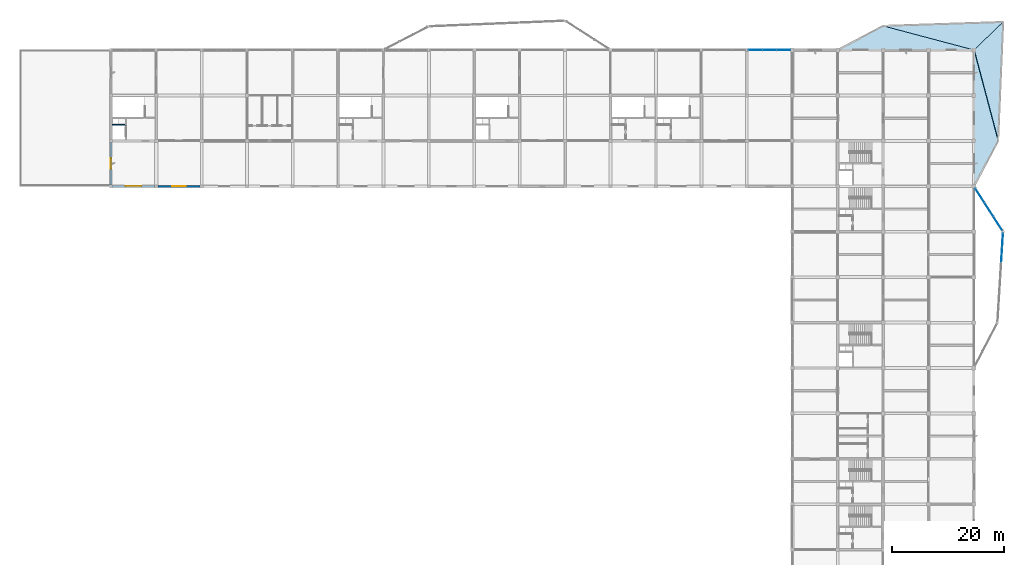
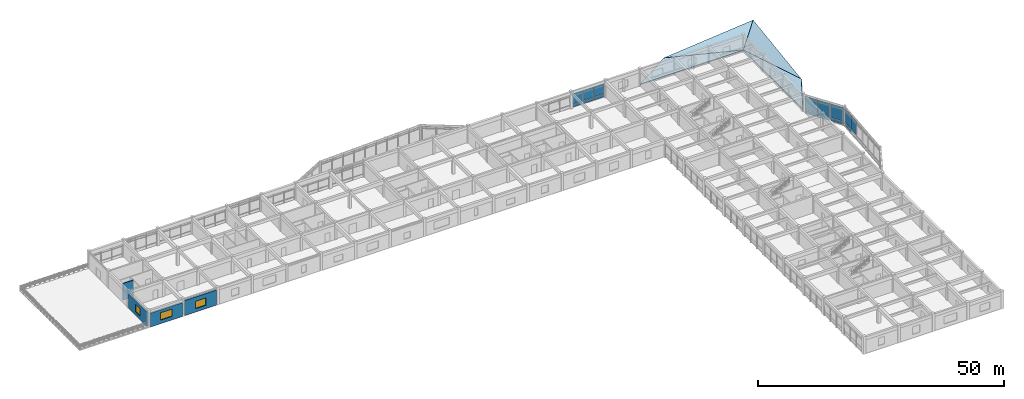
# One storey, part 24 of 40: 15 plates, 4 slabs, 4 walls, 3 windows, 3 openings, 3 elements without a shape of their own.
"""IFC4 building model written with IfcOpenShell, lengths in metres."""

from ifc_helpers import new_model, si_unit, direction, frame, frame_2d, origin, origin_2d, place, context, subcontext, project, spatial, polyline, rectangle, outline, extrude, material, layer, layer_set, type_object, element, fill, aggregate, save


model = new_model("IFC4")

# Units and contexts
model_context = context("Model", 3, precision=1e-05, world=origin(), true_north=direction((0.0, 1.0)))
body_context = subcontext(model_context, "Body", "Model", "MODEL_VIEW")
ifc_project = project(units=[si_unit("LENGTHUNIT", "METRE"), si_unit("AREAUNIT", "SQUARE_METRE"), si_unit("VOLUMEUNIT", "CUBIC_METRE"), si_unit("PLANEANGLEUNIT", "RADIAN"), si_unit("MASSUNIT", "GRAM", prefix="KILO")], contexts=[model_context])

# Site, building, storey
site_placement = place(None, origin())
site = spatial("IfcSite", under=ifc_project, at=site_placement, CompositionType="ELEMENT")
building_placement = place(site_placement, origin())
building = spatial("IfcBuilding", under=site, at=building_placement, Name="Vaudrelin Polytechnic", CompositionType="ELEMENT")
storey_placement = place(building_placement, frame((0.0, 0.0, 22.949951171875)))
storey = spatial("IfcBuildingStorey", under=building, at=storey_placement, Name="L05", CompositionType="ELEMENT", Elevation=22.949951171875)

# Curtain wall, plates
ifc_material_1 = material(Name="Thermally broken anodised aluminium AA 6063-T6 and low-e triple glazing", Category="aluminium")
ifc_layer_1 = layer(ifc_material_1, 0.199951171875)
ifc_layer_set_1 = layer_set([ifc_layer_1], Name="Thermally broken anodised aluminium AA 6063-T6 and low-e triple glazing")
curtain_wall_type_1 = type_object("IfcCurtainWallType", Name="CW-CW-STU", PredefinedType="USERDEFINED", material=ifc_layer_set_1)
curtain_wall_1_placement = place(storey_placement, origin())
curtain_wall_1 = element("IfcCurtainWall", 1, at=curtain_wall_1_placement, inside=storey, type_object=curtain_wall_type_1, Name="Curtain wall L05 N_V5_14", ObjectType="CURTAIN WALL", PredefinedType="USERDEFINED")
ifc_material_2 = material(Name="Diffusing north-light studio glazing panel", Category="glass")
ifc_layer_2 = layer(ifc_material_2, 0.048095703125)
ifc_layer_set_2 = layer_set([ifc_layer_2], Name="Diffusing north-light studio glazing panel")
plate_type_1 = type_object("IfcPlateType", Name="PLT-GLZ-SAW", PredefinedType="CURTAIN_PANEL", material=ifc_layer_set_2)
plate_1_placement = place(storey_placement, frame((131.123779296875, 121.5, 0.900146484375), z_axis=(0.0, 0.0, 1.0), x_axis=(1.0, 0.0, 0.0)))
plate_1 = element("IfcPlate", 2, at=plate_1_placement, type_object=plate_type_1, Name="N_V5_14 vision panel 1", PredefinedType="CURTAIN_PANEL", context=body_context, shape_type="SweptSolid", body=[
    extrude(rectangle(XDim=2.4013671875, YDim=0.0439453125, at=origin_2d()), origin(), (0.0, 0.0, 1.0), 2.56201171875),
])
plate_2_placement = place(storey_placement, frame((133.625, 121.5, 0.900146484375), z_axis=(0.0, 0.0, 1.0), x_axis=(1.0, 0.0, 0.0)))
plate_2 = element("IfcPlate", 3, at=plate_2_placement, type_object=plate_type_1, Name="N_V5_14 vision panel 2", PredefinedType="CURTAIN_PANEL", context=body_context, shape_type="SweptSolid", body=[
    extrude(rectangle(XDim=2.4013671875, YDim=0.0439453125, at=origin_2d()), origin(), (0.0, 0.0, 1.0), 2.56201171875),
])
plate_3_placement = place(storey_placement, frame((136.126220703125, 121.5, 0.900146484375), z_axis=(0.0, 0.0, 1.0), x_axis=(1.0, 0.0, 0.0)))
plate_3 = element("IfcPlate", 4, at=plate_3_placement, type_object=plate_type_1, Name="N_V5_14 vision panel 3", PredefinedType="CURTAIN_PANEL", context=body_context, shape_type="SweptSolid", body=[
    extrude(rectangle(XDim=2.4013671875, YDim=0.0439453125, at=origin_2d()), origin(), (0.0, 0.0, 1.0), 2.56201171875),
])
ifc_material_3 = material(Name="Insulated ceramic-frit spandrel glass panel", Category="glass")
ifc_layer_3 = layer(ifc_material_3, 0.052001953125)
ifc_layer_set_3 = layer_set([ifc_layer_3], Name="Insulated ceramic-frit spandrel glass panel")
plate_type_2 = type_object("IfcPlateType", Name="PLT-GLZ-SPAND", PredefinedType="CURTAIN_PANEL", material=ifc_layer_set_3)
plate_4_placement = place(storey_placement, frame((131.123779296875, 121.5, 0.08984375), z_axis=(0.0, 0.0, 1.0), x_axis=(1.0, 0.0, 0.0)))
plate_4 = element("IfcPlate", 5, at=plate_4_placement, type_object=plate_type_2, Name="N_V5_14 spandrel panel 1", PredefinedType="CURTAIN_PANEL", context=body_context, shape_type="SweptSolid", body=[
    extrude(rectangle(XDim=2.4013671875, YDim=0.052001953125, at=origin_2d()), origin(), (0.0, 0.0, 1.0), 0.699951171875),
])
plate_5_placement = place(storey_placement, frame((133.625, 121.5, 0.08984375), z_axis=(0.0, 0.0, 1.0), x_axis=(1.0, 0.0, 0.0)))
plate_5 = element("IfcPlate", 6, at=plate_5_placement, type_object=plate_type_2, Name="N_V5_14 spandrel panel 2", PredefinedType="CURTAIN_PANEL", context=body_context, shape_type="SweptSolid", body=[
    extrude(rectangle(XDim=2.4013671875, YDim=0.052001953125, at=origin_2d()), origin(), (0.0, 0.0, 1.0), 0.699951171875),
])
plate_6_placement = place(storey_placement, frame((136.126220703125, 121.5, 0.08984375), z_axis=(0.0, 0.0, 1.0), x_axis=(1.0, 0.0, 0.0)))
plate_6 = element("IfcPlate", 7, at=plate_6_placement, type_object=plate_type_2, Name="N_V5_14 spandrel panel 3", PredefinedType="CURTAIN_PANEL", context=body_context, shape_type="SweptSolid", body=[
    extrude(rectangle(XDim=2.4013671875, YDim=0.052001953125, at=origin_2d()), origin(), (0.0, 0.0, 1.0), 0.699951171875),
])
aggregate(curtain_wall_1, [plate_4, plate_1, plate_5, plate_2, plate_6, plate_3])

# Curtain wall, plate
ifc_layer_4 = layer(ifc_material_1, 0.199951171875)
ifc_layer_set_4 = layer_set([ifc_layer_4], Name="Thermally broken anodised aluminium AA 6063-T6 and low-e triple glazing")
curtain_wall_type_2 = type_object("IfcCurtainWallType", Name="CW-CW-LAB", PredefinedType="USERDEFINED", material=ifc_layer_set_4)
curtain_wall_2_placement = place(storey_placement, origin())
curtain_wall_2 = element("IfcCurtainWall", 8, at=curtain_wall_2_placement, inside=storey, type_object=curtain_wall_type_2, Name="Curtain wall L05 E_OR2_2_1", ObjectType="CURTAIN WALL", PredefinedType="USERDEFINED")
plate_7_placement = place(storey_placement, frame((175.204345703125, 87.55224609375, -0.5400390625), z_axis=(0.0, 0.0, 1.0), x_axis=(0.061604568165, 0.998100634797, 0.0)))
plate_7 = element("IfcPlate", 9, at=plate_7_placement, type_object=plate_type_2, Name="E_OR2_2_1 spandrel panel 3", PredefinedType="CURTAIN_PANEL", context=body_context, shape_type="SweptSolid", body=[
    extrude(rectangle(XDim=2.52587890625, YDim=0.052001953125, at=origin_2d()), origin(), (0.0, 0.0, 1.0), 0.699951171875),
])

# Curtain wall, plates
curtain_wall_3_placement = place(storey_placement, origin())
curtain_wall_3 = element("IfcCurtainWall", 10, at=curtain_wall_3_placement, inside=storey, type_object=curtain_wall_type_2, Name="Curtain wall L05 E_OR2_3_0", ObjectType="CURTAIN WALL", PredefinedType="USERDEFINED")
plate_8_placement = place(storey_placement, frame((174.35595703125, 90.570556640625, -0.5400390625), z_axis=(0.0, 0.0, 1.0), x_axis=(-0.540228077901, 0.841518641414, 0.0)))
plate_8 = element("IfcPlate", 11, at=plate_8_placement, type_object=plate_type_2, Name="E_OR2_3_0 spandrel panel 1", PredefinedType="CURTAIN_PANEL", context=body_context, shape_type="SweptSolid", body=[
    extrude(rectangle(XDim=2.86279296875, YDim=0.052001953125, at=origin_2d()), origin(), (0.0, 0.0, 1.0), 0.699951171875),
])
plate_9_placement = place(storey_placement, frame((172.75537109375, 93.063720703125, -0.5400390625), z_axis=(0.0, 0.0, 1.0), x_axis=(-0.540228077901, 0.841518641414, 0.0)))
plate_9 = element("IfcPlate", 12, at=plate_9_placement, type_object=plate_type_2, Name="E_OR2_3_0 spandrel panel 2", PredefinedType="CURTAIN_PANEL", context=body_context, shape_type="SweptSolid", body=[
    extrude(rectangle(XDim=2.86279296875, YDim=0.052001953125, at=origin_2d()), origin(), (0.0, 0.0, 1.0), 0.699951171875),
])
plate_10_placement = place(storey_placement, frame((171.15478515625, 95.556884765625, -0.5400390625), z_axis=(0.0, 0.0, 1.0), x_axis=(-0.540228077901, 0.841518641414, 0.0)))
plate_10 = element("IfcPlate", 13, at=plate_10_placement, type_object=plate_type_2, Name="E_OR2_3_0 spandrel panel 3", PredefinedType="CURTAIN_PANEL", context=body_context, shape_type="SweptSolid", body=[
    extrude(rectangle(XDim=2.86279296875, YDim=0.052001953125, at=origin_2d()), origin(), (0.0, 0.0, 1.0), 0.699951171875),
])

# Plate
ifc_material_4 = material(Name="Triple low-e argon insulated glazing unit", Category="glass")
ifc_layer_5 = layer(ifc_material_4, 0.0439453125)
ifc_layer_set_5 = layer_set([ifc_layer_5], Name="Triple low-e argon insulated glazing unit")
plate_type_3 = type_object("IfcPlateType", Name="PLT-GLZ-TRIPLE", PredefinedType="CURTAIN_PANEL", material=ifc_layer_set_5)
plate_11_placement = place(storey_placement, frame((175.042724609375, 84.931396484375, 0.27001953125), z_axis=(0.0, 0.0, 1.0), x_axis=(0.061604568165, 0.998100634797, 0.0)))
plate_11 = element("IfcPlate", 14, at=plate_11_placement, type_object=plate_type_3, Name="E_OR2_2_1 vision panel 2", PredefinedType="CURTAIN_PANEL", context=body_context, shape_type="SweptSolid", body=[
    extrude(rectangle(XDim=2.52587890625, YDim=0.0439453125, at=origin_2d()), origin(), (0.0, 0.0, 1.0), 3.43994140625),
])

plate_12_placement = place(storey_placement, frame((175.204345703125, 87.55224609375, 0.27001953125), z_axis=(0.0, 0.0, 1.0), x_axis=(0.061604568165, 0.998100634797, 0.0)))
plate_12 = element("IfcPlate", 15, at=plate_12_placement, type_object=plate_type_3, Name="E_OR2_2_1 vision panel 3", PredefinedType="CURTAIN_PANEL", context=body_context, shape_type="SweptSolid", body=[
    extrude(rectangle(XDim=2.52587890625, YDim=0.0439453125, at=origin_2d()), origin(), (0.0, 0.0, 1.0), 3.43994140625),
])

aggregate(curtain_wall_2, [plate_11, plate_7, plate_12])

plate_13_placement = place(storey_placement, frame((174.35595703125, 90.570556640625, 0.27001953125), z_axis=(0.0, 0.0, 1.0), x_axis=(-0.540228077901, 0.841518641414, 0.0)))
plate_13 = element("IfcPlate", 16, at=plate_13_placement, type_object=plate_type_3, Name="E_OR2_3_0 vision panel 1", PredefinedType="CURTAIN_PANEL", context=body_context, shape_type="SweptSolid", body=[
    extrude(rectangle(XDim=2.86279296875, YDim=0.0439453125, at=origin_2d()), origin(), (0.0, 0.0, 1.0), 3.43994140625),
])

plate_14_placement = place(storey_placement, frame((172.75537109375, 93.063720703125, 0.27001953125), z_axis=(0.0, 0.0, 1.0), x_axis=(-0.540228077901, 0.841518641414, 0.0)))
plate_14 = element("IfcPlate", 17, at=plate_14_placement, type_object=plate_type_3, Name="E_OR2_3_0 vision panel 2", PredefinedType="CURTAIN_PANEL", context=body_context, shape_type="SweptSolid", body=[
    extrude(rectangle(XDim=2.86279296875, YDim=0.0439453125, at=origin_2d()), origin(), (0.0, 0.0, 1.0), 3.43994140625),
])

plate_15_placement = place(storey_placement, frame((171.15478515625, 95.556884765625, 0.27001953125), z_axis=(0.0, 0.0, 1.0), x_axis=(-0.540228077901, 0.841518641414, 0.0)))
plate_15 = element("IfcPlate", 18, at=plate_15_placement, type_object=plate_type_3, Name="E_OR2_3_0 vision panel 3", PredefinedType="CURTAIN_PANEL", context=body_context, shape_type="SweptSolid", body=[
    extrude(rectangle(XDim=2.86279296875, YDim=0.0439453125, at=origin_2d()), origin(), (0.0, 0.0, 1.0), 3.43994140625),
])

aggregate(curtain_wall_3, [plate_8, plate_13, plate_9, plate_14, plate_10, plate_15])

# Slabs
ifc_material_5 = material(Name="Concrete 35 MPa", Category="concrete")
ifc_layer_6 = layer(ifc_material_5, 0.27490234375)
ifc_layer_set_6 = layer_set([ifc_layer_6], Name="Concrete 35 MPa")
slab_type = type_object("IfcSlabType", Name="SLB-SL-RF275", PredefinedType="ROOF", material=ifc_layer_set_6)
slab_1_placement = place(storey_placement, frame((145.800048828125, 121.5, 0.275146484375), z_axis=(0.0, -0.247799632279, 0.968811303734), x_axis=(0.876966463372, 0.465563803821, 0.119080505094)))
element("IfcSlab", 19, at=slab_1_placement, inside=storey, type_object=slab_type, Name="NE prow north-west origami roof facet", PredefinedType="ROOF", context=body_context, shape_type="SweptSolid", body=[
    extrude(outline(polyline([(0.0, 0.0), (9.23621809263264, -3.0531133177191805e-16), (21.310327880558418, -11.677426885763566), (0.0, 0.0)])), origin(), (0.0, 0.0, -1.0), 0.27490234375),
])
slab_2_placement = place(storey_placement, frame((153.89990234375, 125.800048828125, 1.375), z_axis=(-0.049810910974, -0.419493694733, 0.906390596392), x_axis=(0.997021944186, 0.03261036922, 0.069884237352)))
element("IfcSlab", 20, at=slab_2_placement, inside=storey, type_object=slab_type, Name="NE prow north-apex origami roof facet", PredefinedType="ROOF", context=body_context, shape_type="SweptSolid", body=[
    extrude(outline(polyline([(0.0, 0.0), (21.46406767590237, 1.1102230246251565e-16), (15.93486162257932, -5.312872190490529), (0.0, 0.0)])), origin(), (0.0, 0.0, -1.0), 0.27490234375),
])
slab_3_placement = place(storey_placement, frame((170.10009765625, 97.199951171875, 0.275146484375), z_axis=(-0.247812838182, 0.0, 0.968807925872), x_axis=(0.0, 1.0, 0.0)))
element("IfcSlab", 21, at=slab_3_placement, inside=storey, type_object=slab_type, Name="NE prow south-east origami roof facet", PredefinedType="ROOF", context=body_context, shape_type="SweptSolid", body=[
    extrude(outline(polyline([(0.0, 0.0), (24.300048828125, 0.0), (8.10009765625, -4.438242682242561), (0.0, 0.0)])), origin(), (0.0, 0.0, -1.0), 0.27490234375),
])
slab_4_placement = place(storey_placement, frame((170.10009765625, 121.5, 0.275146484375), z_axis=(-0.410159017151, -0.047028309057, 0.910800702018), x_axis=(0.678133643143, 0.652057702783, 0.339050902194)))
element("IfcSlab", 22, at=slab_4_placement, inside=storey, type_object=slab_type, Name="NE prow east-apex origami roof facet", PredefinedType="ROOF", context=body_context, shape_type="SweptSolid", body=[
    extrude(outline(polyline([(0.0, 0.0), (7.668033026310715, 1.1102230246251565e-16), (-7.27455440203594, -15.139923194304302), (0.0, 0.0)])), origin(), (0.0, 0.0, -1.0), 0.27490234375),
])

# Wall, opening, window
ifc_material_6 = material(Name="Precast concrete 35 MPa with standing-seam zinc rainscreen", Category="concrete")
ifc_layer_7 = layer(ifc_material_6, 0.360107421875)
ifc_layer_set_7 = layer_set([ifc_layer_7], Name="Precast concrete 35 MPa with standing-seam zinc rainscreen")
wall_type_1 = type_object("IfcWallType", Name="WAL-EW-ZINC360", PredefinedType="STANDARD", material=ifc_layer_set_7)
wall_1_placement = place(storey_placement, frame((16.199951171875, 97.472900390625, 0.0), z_axis=(0.0, 0.0, 1.0), x_axis=(0.0, 1.0, 0.0)))
wall_1 = element("IfcWall", 23, at=wall_1_placement, inside=storey, type_object=wall_type_1, Name="Exterior wall L05 W_V5_00", PredefinedType="STANDARD", context=body_context, shape_type="SweptSolid", body=[
    extrude(rectangle(XDim=7.55419921875, YDim=0.360107421875, at=frame_2d((3.777099609375, 0.0))), origin(), (0.0, 0.0, 1.0), 3.56201171875),
])
opening_1_placement = place(wall_1_placement, frame((2.826904296875, 0.0, 0.85009765625)))
opening_1 = element("IfcOpeningElement", 24, at=opening_1_placement, cuts=wall_1, Name="Opening W-L05-W-V5-01", PredefinedType="OPENING", context=body_context, shape_type="SweptSolid", body=[
    extrude(rectangle(XDim=1.89990234375, YDim=1.85009765625, at=frame_2d((0.949951171875, 0.925048828125))), frame((0.0, 0.18994140625, 0.0), z_axis=(0.0, -1.0, 0.0), x_axis=(1.0, 0.0, 0.0)), (0.0, 0.0, 1.0), 0.380126953125),
])
ifc_material_7 = material(Name="Thermally broken aluminium frame with triple low-e glazing", Category="aluminium")
window_type_1 = type_object("IfcWindowType", Name="WIN-WN-47", PartitioningType="SINGLE_PANEL", PredefinedType="WINDOW", material=ifc_material_7)
window_1_placement = place(opening_1_placement, origin())
window_1 = element("IfcWindow", 25, at=window_1_placement, inside=storey, type_object=window_type_1, Name="Facade window L05-W_V5_00", OverallHeight=1.85009765625, OverallWidth=1.89990234375, PartitioningType="SINGLE_PANEL", PredefinedType="WINDOW", context=body_context, shape_type="SweptSolid", body=[
    extrude(rectangle(XDim=1.89990234375, YDim=1.85009765625, at=frame_2d((0.949951171875, 0.925048828125))), frame((0.0, 0.030029296875, 0.0), z_axis=(0.0, -1.0, 0.0), x_axis=(1.0, 0.0, 0.0)), (0.0, 0.0, 1.0), 0.06005859375),
])
fill(opening_1, window_1)

wall_2_placement = place(storey_placement, frame((16.472900390625, 97.199951171875, 0.0), z_axis=(0.0, 0.0, 1.0), x_axis=(1.0, 0.0, 0.0)))
wall_2 = element("IfcWall", 26, at=wall_2_placement, inside=storey, type_object=wall_type_1, Name="Exterior wall L05 S_V5_00", PredefinedType="STANDARD", context=body_context, shape_type="SweptSolid", body=[
    extrude(rectangle(XDim=7.55419921875, YDim=0.360107421875, at=frame_2d((3.777099609375, 0.0))), origin(), (0.0, 0.0, 1.0), 3.412109375),
])
opening_2_placement = place(wall_2_placement, frame((2.376953125, 0.0, 0.85009765625)))
opening_2 = element("IfcOpeningElement", 27, at=opening_2_placement, cuts=wall_2, Name="Opening W-L05-S-V5-01", PredefinedType="OPENING", context=body_context, shape_type="SweptSolid", body=[
    extrude(rectangle(XDim=2.800048828125, YDim=1.85009765625, at=frame_2d((1.39990234375, 0.925048828125))), frame((0.0, 0.18994140625, 0.0), z_axis=(0.0, -1.0, 0.0), x_axis=(1.0, 0.0, 0.0)), (0.0, 0.0, 1.0), 0.380126953125),
])
window_type_2 = type_object("IfcWindowType", Name="WIN-WN-48", PartitioningType="SINGLE_PANEL", PredefinedType="WINDOW", material=ifc_material_7)
window_2_placement = place(opening_2_placement, origin())
window_2 = element("IfcWindow", 28, at=window_2_placement, inside=storey, type_object=window_type_2, Name="Facade window L05-S_V5_00", OverallHeight=1.85009765625, OverallWidth=2.800048828125, PartitioningType="SINGLE_PANEL", PredefinedType="WINDOW", context=body_context, shape_type="SweptSolid", body=[
    extrude(rectangle(XDim=2.800048828125, YDim=1.85009765625, at=frame_2d((1.39990234375, 0.925048828125))), frame((0.0, 0.030029296875, 0.0), z_axis=(0.0, -1.0, 0.0), x_axis=(1.0, 0.0, 0.0)), (0.0, 0.0, 1.0), 0.06005859375),
])
fill(opening_2, window_2)

wall_3_placement = place(storey_placement, frame((24.572998046875, 97.199951171875, 0.0), z_axis=(0.0, 0.0, 1.0), x_axis=(1.0, 0.0, 0.0)))
wall_3 = element("IfcWall", 29, at=wall_3_placement, inside=storey, type_object=wall_type_1, Name="Exterior wall L05 S_V5_01", PredefinedType="STANDARD", context=body_context, shape_type="SweptSolid", body=[
    extrude(rectangle(XDim=7.553955078125, YDim=0.360107421875, at=frame_2d((3.77685546875, 0.0))), origin(), (0.0, 0.0, 1.0), 3.7470703125),
])
opening_3_placement = place(wall_3_placement, frame((2.576904296875, 0.0, 0.85009765625)))
opening_3 = element("IfcOpeningElement", 30, at=opening_3_placement, cuts=wall_3, Name="Opening W-L05-S-V5-02", PredefinedType="OPENING", context=body_context, shape_type="SweptSolid", body=[
    extrude(rectangle(XDim=2.39990234375, YDim=1.800048828125, at=frame_2d((1.199951171875, 0.89990234375))), frame((0.0, 0.18994140625, 0.0), z_axis=(0.0, -1.0, 0.0), x_axis=(1.0, 0.0, 0.0)), (0.0, 0.0, 1.0), 0.380126953125),
])
window_type_3 = type_object("IfcWindowType", Name="WIN-WN-01", PartitioningType="SINGLE_PANEL", PredefinedType="WINDOW", material=ifc_material_7)
window_3_placement = place(opening_3_placement, origin())
window_3 = element("IfcWindow", 31, at=window_3_placement, inside=storey, type_object=window_type_3, Name="Facade window L05-S_V5_01", OverallHeight=1.800048828125, OverallWidth=2.39990234375, PartitioningType="SINGLE_PANEL", PredefinedType="WINDOW", context=body_context, shape_type="SweptSolid", body=[
    extrude(rectangle(XDim=2.39990234375, YDim=1.800048828125, at=frame_2d((1.199951171875, 0.89990234375))), frame((0.0, 0.030029296875, 0.0), z_axis=(0.0, -1.0, 0.0), x_axis=(1.0, 0.0, 0.0)), (0.0, 0.0, 1.0), 0.06005859375),
])
fill(opening_3, window_3)

# Wall
ifc_material_8 = material(Name="Concrete 40 MPa", Category="concrete")
ifc_layer_8 = layer(ifc_material_8, 0.199951171875)
ifc_layer_set_8 = layer_set([ifc_layer_8], Name="Concrete 40 MPa")
wall_type_2 = type_object("IfcWallType", Name="WAL-SW-CORE200", PredefinedType="SHEAR", material=ifc_layer_set_8)
wall_4_placement = place(storey_placement, frame((16.419921875, 108.14990234375, 0.0), z_axis=(0.0, 0.0, 1.0), x_axis=(1.0, 0.0, 0.0)))
element("IfcWall", 32, at=wall_4_placement, inside=storey, type_object=wall_type_2, Name="Lift LF-01 shaft north wall L05", PredefinedType="SHEAR", context=body_context, shape_type="SweptSolid", body=[
    extrude(rectangle(XDim=2.56005859375, YDim=0.199951171875, at=frame_2d((1.280029296875, 0.0))), origin(), (0.0, 0.0, 1.0), 4.162109375),
])

save(model, "model.ifc")
